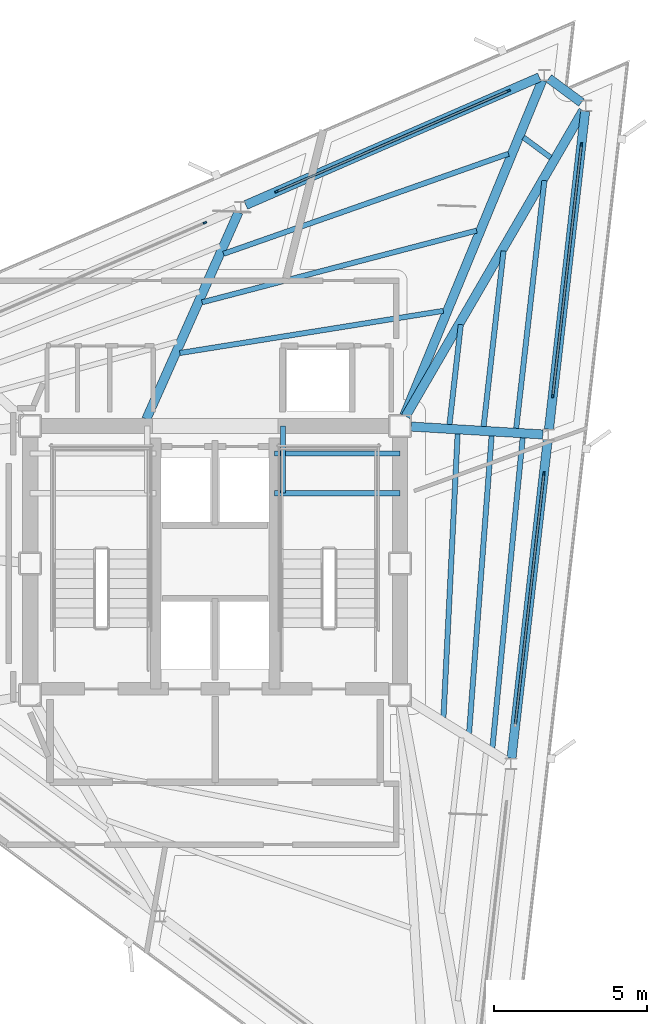
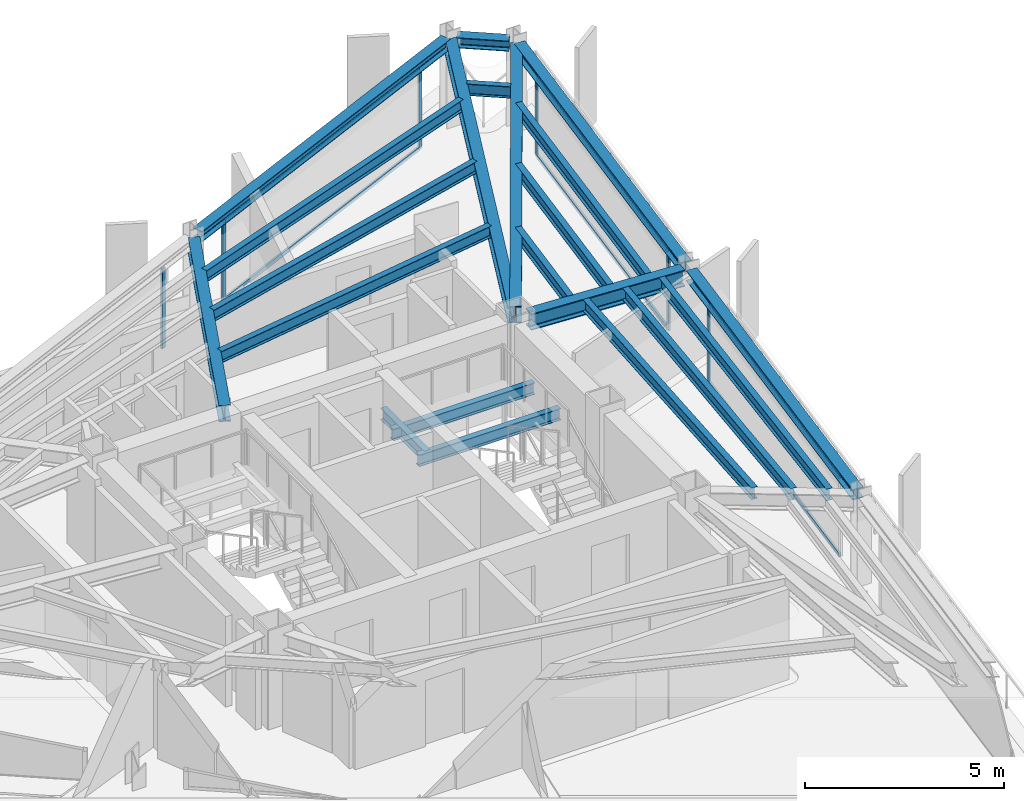
# One storey, part 4 of 10: 21 beams, 12 members, 4 elements without a shape of their own.
"""IFC4 building model written with IfcOpenShell, lengths in metres."""

from ifc_helpers import new_model, si_unit, direction, frame, origin, origin_2d, place, context, subcontext, project, spatial, rectangle, i_section, extrude, material, layer, layer_set, material_profile, profile_set, type_object, element, aggregate, save


model = new_model("IFC4")

# Units and contexts
model_context = context("Model", 3, precision=1e-05, world=origin(), true_north=direction((0.0, 1.0)))
body_context = subcontext(model_context, "Body", "Model", "MODEL_VIEW")
ifc_project = project(units=[si_unit("LENGTHUNIT", "METRE"), si_unit("AREAUNIT", "SQUARE_METRE"), si_unit("VOLUMEUNIT", "CUBIC_METRE"), si_unit("PLANEANGLEUNIT", "RADIAN"), si_unit("MASSUNIT", "GRAM", prefix="KILO")], contexts=[model_context])

# Site, building, storey
site_placement = place(None, origin())
site = spatial("IfcSite", under=ifc_project, at=site_placement, CompositionType="ELEMENT")
building_placement = place(site_placement, origin())
building = spatial("IfcBuilding", under=site, at=building_placement, Name="Rocaltana Carrier Exchange", CompositionType="ELEMENT")
storey_placement = place(building_placement, frame((0.0, 0.0, 217.919921875)))
storey = spatial("IfcBuildingStorey", under=building, at=storey_placement, Name="L69", CompositionType="ELEMENT", Elevation=217.919921875)

# Curtain wall, member
ifc_material_1 = material(Name="Aluminium 6063-T6", Category="aluminium")
ifc_layer = layer(ifc_material_1, 0.1201171875)
ifc_layer_set = layer_set([ifc_layer], Name="Aluminium 6063-T6")
curtain_wall_type = type_object("IfcCurtainWallType", Name="High-Altitude Thermal Curtain Wall CW-05", PredefinedType="NOTDEFINED", material=ifc_layer_set)
curtain_wall_1_placement = place(storey_placement, origin())
curtain_wall_1 = element("IfcCurtainWall", 1, at=curtain_wall_1_placement, inside=storey, type_object=curtain_wall_type, Name="L69 CW-05 Run CW-L69-F1S2", PredefinedType="NOTDEFINED")
ifc_material_2 = material(Name="Aluminium 6063-T6", Category="aluminium")
ifc_material_profile_1 = material_profile(ifc_material_2, rectangle(XDim=0.06005859375, YDim=0.1201171875, at=origin_2d()), Name="AL-60X120")
ifc_profile_set_1 = profile_set([ifc_material_profile_1], Name="Aluminium 6063-T6")
member_type_1 = type_object("IfcMemberType", Name="CW-05 Mullion AL-60X120", PredefinedType="MULLION", material=ifc_profile_set_1)
member_1_placement = place(storey_placement, frame((10.756591796875, 2.93798828125, 0.0), z_axis=(0.0, 0.0, 1.0), x_axis=(-0.993571216652, 0.113208822277, 0.0)))
member_1 = element("IfcMember", 2, at=member_1_placement, type_object=member_type_1, Name="CW-05 mullion 2", PredefinedType="MULLION", context=body_context, shape_type="SweptSolid", body=[
    extrude(rectangle(XDim=0.06005859375, YDim=0.1201171875, at=origin_2d()), origin(), (0.0, 0.0, 1.0), 2.447998046875),
])

# Curtain wall, members
curtain_wall_2_placement = place(storey_placement, origin())
curtain_wall_2 = element("IfcCurtainWall", 3, at=curtain_wall_2_placement, inside=storey, type_object=curtain_wall_type, Name="L69 CW-05 Run CW-L69-F1S3", PredefinedType="NOTDEFINED")
member_2_placement = place(storey_placement, frame((11.04638671875, 5.4814453125, 0.0), z_axis=(0.0, 0.0, 1.0), x_axis=(-0.993572566365, 0.113196975964, 0.0)))
member_2 = element("IfcMember", 4, at=member_2_placement, type_object=member_type_1, Name="CW-05 mullion 1", PredefinedType="MULLION", context=body_context, shape_type="SweptSolid", body=[
    extrude(rectangle(XDim=0.06005859375, YDim=0.1201171875, at=origin_2d()), origin(), (0.0, 0.0, 1.0), 2.447998046875),
])
member_3_placement = place(storey_placement, frame((11.98291015625, 13.70166015625, 0.0), z_axis=(0.0, 0.0, 1.0), x_axis=(-0.993572566365, 0.113196975964, 0.0)))
member_3 = element("IfcMember", 5, at=member_3_placement, type_object=member_type_1, Name="CW-05 mullion 2", PredefinedType="MULLION", context=body_context, shape_type="SweptSolid", body=[
    extrude(rectangle(XDim=0.06005859375, YDim=0.1201171875, at=origin_2d()), origin(), (0.0, 0.0, 1.0), 2.447998046875),
])

curtain_wall_3_placement = place(storey_placement, origin())
curtain_wall_3 = element("IfcCurtainWall", 6, at=curtain_wall_3_placement, inside=storey, type_object=curtain_wall_type, Name="L69 CW-05 Run CW-L69-F2S1", PredefinedType="NOTDEFINED")
member_4_placement = place(storey_placement, frame((9.599609375, 15.46533203125, 0.0), z_axis=(0.0, 0.0, 1.0), x_axis=(0.39875682637, -0.917056701313, 0.0)))
member_4 = element("IfcMember", 7, at=member_4_placement, type_object=member_type_1, Name="CW-05 mullion 1", PredefinedType="MULLION", context=body_context, shape_type="SweptSolid", body=[
    extrude(rectangle(XDim=0.06005859375, YDim=0.1201171875, at=origin_2d()), origin(), (0.0, 0.0, 1.0), 2.447998046875),
])
member_5_placement = place(storey_placement, frame((2.01220703125, 12.166259765625, 0.0), z_axis=(0.0, 0.0, 1.0), x_axis=(0.39875682637, -0.917056701313, 0.0)))
member_5 = element("IfcMember", 8, at=member_5_placement, type_object=member_type_1, Name="CW-05 mullion 2", PredefinedType="MULLION", context=body_context, shape_type="SweptSolid", body=[
    extrude(rectangle(XDim=0.06005859375, YDim=0.1201171875, at=origin_2d()), origin(), (0.0, 0.0, 1.0), 2.447998046875),
])

# Curtain wall, member
curtain_wall_4_placement = place(storey_placement, origin())
curtain_wall_4 = element("IfcCurtainWall", 9, at=curtain_wall_4_placement, inside=storey, type_object=curtain_wall_type, Name="L69 CW-05 Run CW-L69-F2S2", PredefinedType="NOTDEFINED")
member_6_placement = place(storey_placement, frame((-0.335205078125, 11.1455078125, 0.0), z_axis=(0.0, 0.0, 1.0), x_axis=(0.398752438254, -0.917058609352, 0.0)))
member_6 = element("IfcMember", 10, at=member_6_placement, type_object=member_type_1, Name="CW-05 mullion 1", PredefinedType="MULLION", context=body_context, shape_type="SweptSolid", body=[
    extrude(rectangle(XDim=0.06005859375, YDim=0.1201171875, at=origin_2d()), origin(), (0.0, 0.0, 1.0), 2.447998046875),
])
aggregate(curtain_wall_4, [member_6])

# Member
ifc_material_3 = material(Name="Aluminium 6063-T6", Category="aluminium")
ifc_material_profile_2 = material_profile(ifc_material_3, rectangle(XDim=0.06005859375, YDim=0.1201171875, at=origin_2d()), Name="AL-60X120")
ifc_profile_set_2 = profile_set([ifc_material_profile_2], Name="Aluminium 6063-T6")
member_type_2 = type_object("IfcMemberType", Name="CW-05 Transom AL-60X120", PredefinedType="USERDEFINED", material=ifc_profile_set_2)
member_7_placement = place(storey_placement, frame((9.8232421875, -5.25244140625, 0.030029296875), z_axis=(0.113220478228, 0.993569888488, 0.0), x_axis=(-0.993569888488, 0.113220478228, 0.0)))
member_7 = element("IfcMember", 11, at=member_7_placement, type_object=member_type_2, Name="CW-05 transom 1.1", ObjectType="TRANSOM", PredefinedType="USERDEFINED", context=body_context, shape_type="SweptSolid", body=[
    extrude(rectangle(XDim=0.06005859375, YDim=0.1201171875, at=origin_2d()), origin(), (0.0, 0.0, 1.0), 8.21337890625),
])

member_8_placement = place(storey_placement, frame((9.8232421875, -5.25244140625, 2.41796875), z_axis=(0.113220478228, 0.993569888488, 0.0), x_axis=(-0.993569888488, 0.113220478228, 0.0)))
member_8 = element("IfcMember", 12, at=member_8_placement, type_object=member_type_2, Name="CW-05 transom 1.2", ObjectType="TRANSOM", PredefinedType="USERDEFINED", context=body_context, shape_type="SweptSolid", body=[
    extrude(rectangle(XDim=0.06005859375, YDim=0.1201171875, at=origin_2d()), origin(), (0.0, 0.0, 1.0), 8.21337890625),
])

aggregate(curtain_wall_1, [member_1, member_7, member_8])

member_9_placement = place(storey_placement, frame((11.0498046875, 5.51123046875, 0.030029296875), z_axis=(0.113191134651, 0.993573231844, 0.0), x_axis=(-0.993573231844, 0.113191134651, 0.0)))
member_9 = element("IfcMember", 13, at=member_9_placement, type_object=member_type_2, Name="CW-05 transom 1.1", ObjectType="TRANSOM", PredefinedType="USERDEFINED", context=body_context, shape_type="SweptSolid", body=[
    extrude(rectangle(XDim=0.06005859375, YDim=0.1201171875, at=origin_2d()), origin(), (0.0, 0.0, 1.0), 8.21337890625),
])

member_10_placement = place(storey_placement, frame((11.0498046875, 5.51123046875, 2.41796875), z_axis=(0.113191134651, 0.993573231844, 0.0), x_axis=(-0.993573231844, 0.113191134651, 0.0)))
member_10 = element("IfcMember", 14, at=member_10_placement, type_object=member_type_2, Name="CW-05 transom 1.2", ObjectType="TRANSOM", PredefinedType="USERDEFINED", context=body_context, shape_type="SweptSolid", body=[
    extrude(rectangle(XDim=0.06005859375, YDim=0.1201171875, at=origin_2d()), origin(), (0.0, 0.0, 1.0), 8.21337890625),
])

aggregate(curtain_wall_2, [member_2, member_3, member_9, member_10])

member_11_placement = place(storey_placement, frame((9.572021484375, 15.453369140625, 0.030029296875), z_axis=(-0.917058241688, -0.398753283814, 0.0), x_axis=(0.398753283814, -0.917058241688, 0.0)))
member_11 = element("IfcMember", 15, at=member_11_placement, type_object=member_type_2, Name="CW-05 transom 1.1", ObjectType="TRANSOM", PredefinedType="USERDEFINED", context=body_context, shape_type="SweptSolid", body=[
    extrude(rectangle(XDim=0.06005859375, YDim=0.1201171875, at=origin_2d()), origin(), (0.0, 0.0, 1.0), 8.21337890625),
])

member_12_placement = place(storey_placement, frame((9.572021484375, 15.453369140625, 2.41796875), z_axis=(-0.917058241688, -0.398753283814, 0.0), x_axis=(0.398753283814, -0.917058241688, 0.0)))
member_12 = element("IfcMember", 16, at=member_12_placement, type_object=member_type_2, Name="CW-05 transom 1.2", ObjectType="TRANSOM", PredefinedType="USERDEFINED", context=body_context, shape_type="SweptSolid", body=[
    extrude(rectangle(XDim=0.06005859375, YDim=0.1201171875, at=origin_2d()), origin(), (0.0, 0.0, 1.0), 8.21337890625),
])

aggregate(curtain_wall_3, [member_4, member_5, member_11, member_12])

# Beams
ifc_material_4 = material(Name="Steel S355", Category="steel")
ifc_material_profile_3 = material_profile(ifc_material_4, i_section(OverallWidth=0.172119140625, OverallDepth=0.35791015625, WebThickness=0.0078125, FlangeThickness=0.01318359375, FilletRadius=0.011962890625, at=origin_2d()), Name="W14X38")
ifc_profile_set_3 = profile_set([ifc_material_profile_3], Name="Steel S355")
beam_type_1 = type_object("IfcBeamType", Name="Floor Joist W14X38", PredefinedType="JOIST", material=ifc_profile_set_3)
for number, where, z_axis, x_axis, name in (
    (17, (1.93994140625, 2.300048828125, 1.14111328125), (1.0, 0.0, 0.0), (0.0, 1.0, 0.0), "L69 ST-2 Landing Carrier 1"),
    (18, (1.93994140625, 3.60009765625, 1.14111328125), (1.0, 0.0, 0.0), (0.0, 1.0, 0.0), "L69 ST-2 Landing Carrier 2"),
):
    element("IfcBeam", number, at=place(storey_placement, frame(where, z_axis=z_axis, x_axis=x_axis)), inside=storey, type_object=beam_type_1, Name=name, PredefinedType="JOIST", context=body_context, shape_type="SweptSolid", body=[
        extrude(i_section(OverallWidth=0.172119140625, OverallDepth=0.35791015625, WebThickness=0.0078125, FlangeThickness=0.01318359375, FilletRadius=0.011962890625, at=origin_2d()), origin(), (0.0, 0.0, 1.0), 4.110107421875),
    ])
beam_1_placement = place(storey_placement, frame((2.219970703125, 2.300048828125, 1.14111328125), z_axis=(0.0, 1.0, 0.0), x_axis=(-1.0, 0.0, 0.0)))
element("IfcBeam", 19, at=beam_1_placement, inside=storey, type_object=beam_type_1, Name="L69 ST-2 Landing Cross Trimmer", PredefinedType="JOIST", context=body_context, shape_type="SweptSolid", body=[
    extrude(i_section(OverallWidth=0.172119140625, OverallDepth=0.35791015625, WebThickness=0.0078125, FlangeThickness=0.01318359375, FilletRadius=0.011962890625, at=origin_2d()), origin(), (0.0, 0.0, 1.0), 2.199951171875),
])
beam_2_placement = place(storey_placement, frame((7.470947265625, -5.03515625, 2.619140625), z_axis=(0.049933684641, 0.998752535485, 0.0), x_axis=(-0.998752535485, 0.049933684641, 0.0)))
element("IfcBeam", 20, at=beam_2_placement, inside=storey, type_object=beam_type_1, Name="FJ-L69-02-1", PredefinedType="JOIST", context=body_context, shape_type="SweptSolid", body=[
    extrude(i_section(OverallWidth=0.172119140625, OverallDepth=0.35791015625, WebThickness=0.0078125, FlangeThickness=0.01318359375, FilletRadius=0.011962890625, at=origin_2d()), origin(), (0.0, 0.0, 1.0), 9.28955078125),
])
beam_3_placement = place(storey_placement, frame((8.308349609375, -5.553955078125, 2.619140625), z_axis=(0.075705441131, 0.997130225288, 0.0), x_axis=(-0.997130225288, 0.075705441131, 0.0)))
element("IfcBeam", 21, at=beam_3_placement, inside=storey, type_object=beam_type_1, Name="FJ-L69-02-2", PredefinedType="JOIST", context=body_context, shape_type="SweptSolid", body=[
    extrude(i_section(OverallWidth=0.172119140625, OverallDepth=0.35791015625, WebThickness=0.0078125, FlangeThickness=0.01318359375, FilletRadius=0.011962890625, at=origin_2d()), origin(), (0.0, 0.0, 1.0), 9.758544921875),
])
beam_4_placement = place(storey_placement, frame((9.07275390625, -6.027587890625, 2.619140625), z_axis=(0.097138741589, 0.995270850011, 0.0), x_axis=(-0.995270850011, 0.097138741589, 0.0)))
element("IfcBeam", 22, at=beam_4_placement, inside=storey, type_object=beam_type_1, Name="FJ-L69-02-3", PredefinedType="JOIST", context=body_context, shape_type="SweptSolid", body=[
    extrude(i_section(OverallWidth=0.172119140625, OverallDepth=0.35791015625, WebThickness=0.0078125, FlangeThickness=0.01318359375, FilletRadius=0.011962890625, at=origin_2d()), origin(), (0.0, 0.0, 1.0), 10.19140625),
])
beam_5_placement = place(storey_placement, frame((7.667236328125, 4.54736328125, 2.619140625), z_axis=(0.113203016028, 0.993571878206, 0.0), x_axis=(-0.993571878206, 0.113203016028, 0.0)))
element("IfcBeam", 23, at=beam_5_placement, inside=storey, type_object=beam_type_1, Name="FJ-L69-03-1", PredefinedType="JOIST", context=body_context, shape_type="SweptSolid", body=[
    extrude(i_section(OverallWidth=0.172119140625, OverallDepth=0.35791015625, WebThickness=0.0078125, FlangeThickness=0.01318359375, FilletRadius=0.011962890625, at=origin_2d()), origin(), (0.0, 0.0, 1.0), 3.286865234375),
])
beam_6_placement = place(storey_placement, frame((8.783203125, 4.48046875, 2.619140625), z_axis=(0.113185542157, 0.993573868943, 0.0), x_axis=(-0.993573868943, 0.113185542157, 0.0)))
element("IfcBeam", 24, at=beam_6_placement, inside=storey, type_object=beam_type_1, Name="FJ-L69-03-2", PredefinedType="JOIST", context=body_context, shape_type="SweptSolid", body=[
    extrude(i_section(OverallWidth=0.172119140625, OverallDepth=0.35791015625, WebThickness=0.0078125, FlangeThickness=0.01318359375, FilletRadius=0.011962890625, at=origin_2d()), origin(), (0.0, 0.0, 1.0), 5.778564453125),
])
beam_7_placement = place(storey_placement, frame((9.850341796875, 4.41650390625, 2.619140625), z_axis=(0.113215051584, 0.993570506856, 0.0), x_axis=(-0.993570506856, 0.113215051584, 0.0)))
element("IfcBeam", 25, at=beam_7_placement, inside=storey, type_object=beam_type_1, Name="FJ-L69-03-3", PredefinedType="JOIST", context=body_context, shape_type="SweptSolid", body=[
    extrude(i_section(OverallWidth=0.172119140625, OverallDepth=0.35791015625, WebThickness=0.0078125, FlangeThickness=0.01318359375, FilletRadius=0.011962890625, at=origin_2d()), origin(), (0.0, 0.0, 1.0), 8.162109375),
])
beam_8_placement = place(storey_placement, frame((10.978759765625, 13.278564453125, 2.619140625), z_axis=(-0.803783025316, 0.594922556484, 0.0), x_axis=(-0.594922556484, -0.803783025316, 0.0)))
element("IfcBeam", 26, at=beam_8_placement, inside=storey, type_object=beam_type_1, Name="FJ-L69-04-3", PredefinedType="JOIST", context=body_context, shape_type="SweptSolid", body=[
    extrude(i_section(OverallWidth=0.172119140625, OverallDepth=0.35791015625, WebThickness=0.0078125, FlangeThickness=0.01318359375, FilletRadius=0.011962890625, at=origin_2d()), origin(), (0.0, 0.0, 1.0), 1.1103515625),
])
beam_9_placement = place(storey_placement, frame((7.466552734375, 8.26416015625, 2.619140625), z_axis=(-0.987434349957, -0.158029758352, 0.0), x_axis=(0.158029758352, -0.987434349957, 0.0)))
element("IfcBeam", 27, at=beam_9_placement, inside=storey, type_object=beam_type_1, Name="FJ-L69-05-1", PredefinedType="JOIST", context=body_context, shape_type="SweptSolid", body=[
    extrude(i_section(OverallWidth=0.172119140625, OverallDepth=0.35791015625, WebThickness=0.0078125, FlangeThickness=0.01318359375, FilletRadius=0.011962890625, at=origin_2d()), origin(), (0.0, 0.0, 1.0), 8.731689453125),
])
beam_10_placement = place(storey_placement, frame((8.5556640625, 10.889892578125, 2.619140625), z_axis=(-0.967527830679, -0.252764508708, 0.0), x_axis=(0.252764508708, -0.967527830679, 0.0)))
element("IfcBeam", 28, at=beam_10_placement, inside=storey, type_object=beam_type_1, Name="FJ-L69-05-2", PredefinedType="JOIST", context=body_context, shape_type="SweptSolid", body=[
    extrude(i_section(OverallWidth=0.172119140625, OverallDepth=0.35791015625, WebThickness=0.0078125, FlangeThickness=0.01318359375, FilletRadius=0.011962890625, at=origin_2d()), origin(), (0.0, 0.0, 1.0), 9.2822265625),
])
beam_11_placement = place(storey_placement, frame((9.598388671875, 13.4033203125, 2.619140625), z_axis=(-0.943534028817, -0.331275620087, 0.0), x_axis=(0.331275620087, -0.943534028817, 0.0)))
element("IfcBeam", 29, at=beam_11_placement, inside=storey, type_object=beam_type_1, Name="FJ-L69-05-3", PredefinedType="JOIST", context=body_context, shape_type="SweptSolid", body=[
    extrude(i_section(OverallWidth=0.172119140625, OverallDepth=0.35791015625, WebThickness=0.0078125, FlangeThickness=0.01318359375, FilletRadius=0.011962890625, at=origin_2d()), origin(), (0.0, 0.0, 1.0), 9.883544921875),
])
ifc_material_5 = material(Name="Steel S355", Category="steel")
ifc_material_profile_4 = material_profile(ifc_material_5, i_section(OverallWidth=0.300048828125, OverallDepth=0.320068359375, WebThickness=0.011474609375, FlangeThickness=0.0205078125, FilletRadius=0.027099609375, at=origin_2d()), Name="HEB320")
ifc_profile_set_4 = profile_set([ifc_material_profile_4], Name="Steel S355")
beam_type_2 = type_object("IfcBeamType", Name="Spandrel Edge Beam HEB320", PredefinedType="SPANDREL", material=ifc_profile_set_4)
for number, where, z_axis, x_axis, name in (
    (30, (9.6953125, -6.375732421875, 2.63818359375), (0.113206731638, 0.99357145486, 0.0), (-0.99357145486, 0.113206731638, 0.0), "SP-L69-02"),
    (31, (10.921630859375, 4.387939453125, 2.63818359375), (0.113206731638, 0.99357145486, 0.0), (-0.99357145486, 0.113206731638, 0.0), "SP-L69-03"),
):
    element("IfcBeam", number, at=place(storey_placement, frame(where, z_axis=z_axis, x_axis=x_axis)), inside=storey, type_object=beam_type_2, Name=name, PredefinedType="SPANDREL", context=body_context, shape_type="SweptSolid", body=[
        extrude(i_section(OverallWidth=0.300048828125, OverallDepth=0.320068359375, WebThickness=0.011474609375, FlangeThickness=0.0205078125, FilletRadius=0.027099609375, at=origin_2d()), origin(), (0.0, 0.0, 1.0), 10.474609375),
    ])
beam_12_placement = place(storey_placement, frame((11.9833984375, 15.080078125, 2.63818359375), z_axis=(-0.803827813477, 0.594862039703, 0.0), x_axis=(-0.594862039703, -0.803827813477, 0.0)))
element("IfcBeam", 32, at=beam_12_placement, inside=storey, type_object=beam_type_2, Name="SP-L69-04", PredefinedType="SPANDREL", context=body_context, shape_type="SweptSolid", body=[
    extrude(i_section(OverallWidth=0.300048828125, OverallDepth=0.320068359375, WebThickness=0.011474609375, FlangeThickness=0.0205078125, FilletRadius=0.027099609375, at=origin_2d()), origin(), (0.0, 0.0, 1.0), 1.326171875),
])
beam_13_placement = place(storey_placement, frame((10.608642578125, 15.904052734375, 2.63818359375), z_axis=(-0.91705375058, -0.398763612366, 0.0), x_axis=(0.398763612366, -0.91705375058, 0.0)))
element("IfcBeam", 33, at=beam_13_placement, inside=storey, type_object=beam_type_2, Name="SP-L69-05", PredefinedType="SPANDREL", context=body_context, shape_type="SweptSolid", body=[
    extrude(i_section(OverallWidth=0.300048828125, OverallDepth=0.320068359375, WebThickness=0.011474609375, FlangeThickness=0.0205078125, FilletRadius=0.027099609375, at=origin_2d()), origin(), (0.0, 0.0, 1.0), 10.474365234375),
])
ifc_material_6 = material(Name="Steel S355", Category="steel")
ifc_material_profile_5 = material_profile(ifc_material_6, i_section(OverallWidth=0.300048828125, OverallDepth=0.5, WebThickness=0.014404296875, FlangeThickness=0.028076171875, FilletRadius=0.027099609375, at=origin_2d()), Name="HEB500")
ifc_profile_set_5 = profile_set([ifc_material_profile_5], Name="Steel S355")
beam_type_3 = type_object("IfcBeamType", Name="Upper Radial Girder HEB500", PredefinedType="BEAM", material=ifc_profile_set_5)
beam_14_placement = place(storey_placement, frame((6.416259765625, 4.47802734375, 2.548095703125), z_axis=(0.998215724423, -0.05971069849, 0.0), x_axis=(0.05971069849, 0.998215724423, 0.0)))
element("IfcBeam", 34, at=beam_14_placement, inside=storey, type_object=beam_type_3, Name="RG-L69-03", PredefinedType="BEAM", context=body_context, shape_type="SweptSolid", body=[
    extrude(i_section(OverallWidth=0.300048828125, OverallDepth=0.5, WebThickness=0.014404296875, FlangeThickness=0.028076171875, FilletRadius=0.027099609375, at=origin_2d()), origin(), (0.0, 0.0, 1.0), 4.313720703125),
])
beam_15_placement = place(storey_placement, frame((6.234130859375, 4.8173828125, 2.548095703125), z_axis=(0.501914939846, 0.864916986282, 0.0), x_axis=(-0.864916986282, 0.501914939846, 0.0)))
element("IfcBeam", 35, at=beam_15_placement, inside=storey, type_object=beam_type_3, Name="RG-L69-04", PredefinedType="BEAM", context=body_context, shape_type="SweptSolid", body=[
    extrude(i_section(OverallWidth=0.300048828125, OverallDepth=0.5, WebThickness=0.014404296875, FlangeThickness=0.028076171875, FilletRadius=0.027099609375, at=origin_2d()), origin(), (0.0, 0.0, 1.0), 11.562744140625),
])
beam_16_placement = place(storey_placement, frame((6.189697265625, 4.83935546875, 2.548095703125), z_axis=(0.380622487271, 0.924730513276, 0.0), x_axis=(-0.924730513276, 0.380622487271, 0.0)))
element("IfcBeam", 36, at=beam_16_placement, inside=storey, type_object=beam_type_3, Name="RG-L69-05", PredefinedType="BEAM", context=body_context, shape_type="SweptSolid", body=[
    extrude(i_section(OverallWidth=0.300048828125, OverallDepth=0.5, WebThickness=0.014404296875, FlangeThickness=0.028076171875, FilletRadius=0.027099609375, at=origin_2d()), origin(), (0.0, 0.0, 1.0), 11.863037109375),
])
beam_17_placement = place(storey_placement, frame((-2.25146484375, 4.720947265625, 2.548095703125), z_axis=(0.406997014031, 0.913429488559, 0.0), x_axis=(-0.913429488559, 0.406997014031, 0.0)))
element("IfcBeam", 37, at=beam_17_placement, inside=storey, type_object=beam_type_3, Name="RG-L69-06", PredefinedType="BEAM", context=body_context, shape_type="SweptSolid", body=[
    extrude(i_section(OverallWidth=0.300048828125, OverallDepth=0.5, WebThickness=0.014404296875, FlangeThickness=0.028076171875, FilletRadius=0.027099609375, at=origin_2d()), origin(), (0.0, 0.0, 1.0), 7.412353515625),
])

save(model, "model.ifc")
